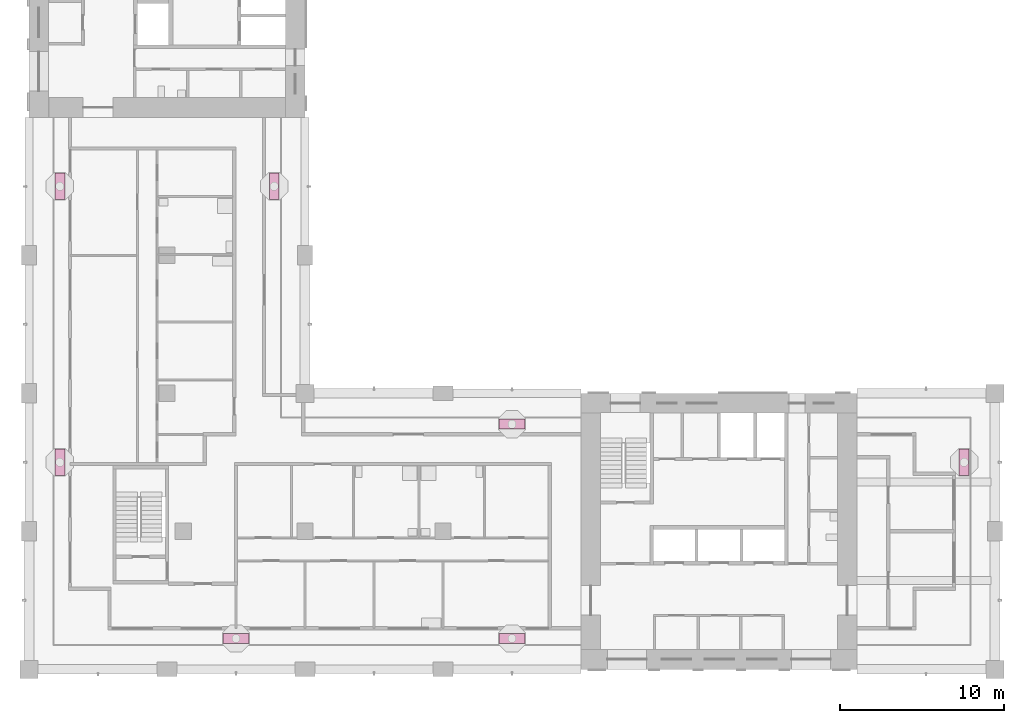
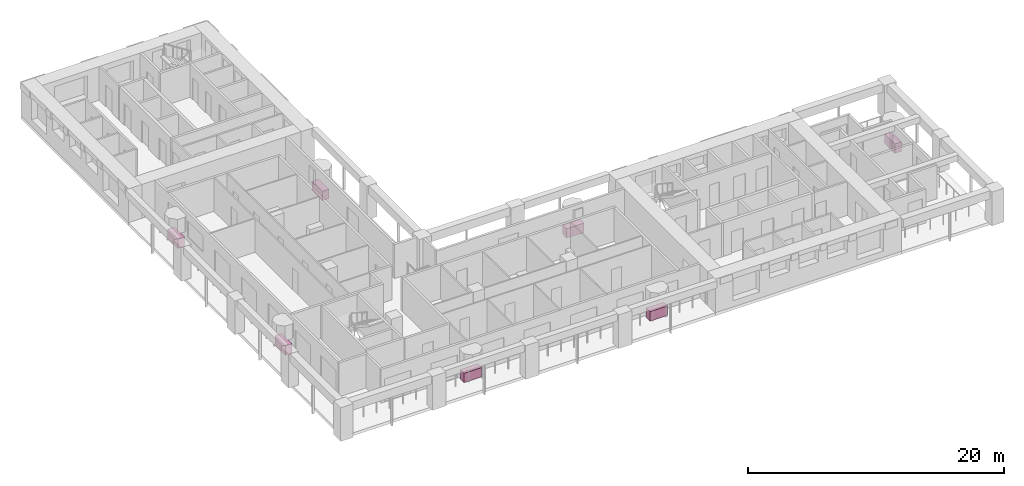
# One storey, part 12 of 13: 7 furniture elements.
"""IFC4 building model written with IfcOpenShell, lengths in metres."""

import ifcopenshell
import ifcopenshell.guid

model = None  # the IFC model being written
_history = None  # IfcOwnerHistory: only IFC2X3 demands one
_inside = {}  # id of a spatial element -> (the spatial element, [elements in it])
_under = {}  # id of a project, library or spatial element -> (it, [spatial elements below it])
_declared = {}  # id of a project -> (the project, [libraries it declares])
_typed = {}  # id of a type object -> (the type object, [elements of that type])
_made_of = {}  # id of a material, layer set ... -> (it, [elements and type objects made of it])


def new_model(schema):
    """Start an empty IFC model of exactly this schema.

    Asked for "IFC4X3", IfcOpenShell would pick the latest addendum, in which some entities
    have other attributes; the version numbers below select the first issue.
    IFC2X3 requires an IfcOwnerHistory on every rooted entity: one is made here for all.
    """
    global model, _history
    if schema == "IFC4X3":
        model = ifcopenshell.file(schema_version=(4, 3, 0, 0))
    else:
        model = ifcopenshell.file(schema=schema)
    _inside.clear()
    _under.clear()
    _declared.clear()
    _typed.clear()
    _made_of.clear()
    _history = None
    if model.schema == "IFC2X3":
        org = make("IfcOrganization", Name="unknown")
        user = make(
            "IfcPersonAndOrganization",
            ThePerson=make("IfcPerson", FamilyName="unknown"),
            TheOrganization=org,
        )
        app = make(
            "IfcApplication",
            ApplicationDeveloper=org,
            Version="unknown",
            ApplicationFullName="unknown",
            ApplicationIdentifier="unknown",
        )
        _history = make(
            "IfcOwnerHistory",
            OwningUser=user,
            OwningApplication=app,
            ChangeAction="ADDED",
            CreationDate=0,
        )
    return model


def make(cls, **values):
    """One entity of the class cls with the attributes given. An attribute that is None is left unset."""
    return model.create_entity(
        cls, **{name: value for name, value in values.items() if value is not None}
    )


def rooted(cls, **values):
    """An entity with a GlobalId (a new one), such as an element, a storey or a relation."""
    return make(cls, GlobalId=ifcopenshell.guid.new(), OwnerHistory=_history, **values)


def si_unit(unit_type, name, prefix=None):
    """IfcSIUnit, for example si_unit("LENGTHUNIT", "METRE", prefix="MILLI")."""
    return make("IfcSIUnit", UnitType=unit_type, Prefix=prefix, Name=name)


def assignment(units):
    """IfcUnitAssignment: the units of a project."""
    return None if units is None else make("IfcUnitAssignment", Units=units)


def point(xyz):
    """IfcCartesianPoint."""
    return None if xyz is None else make("IfcCartesianPoint", Coordinates=xyz)


def direction(xyz):
    """IfcDirection."""
    return None if xyz is None else make("IfcDirection", DirectionRatios=xyz)


def frame(location, z_axis=None, x_axis=None):
    """IfcAxis2Placement3D, a coordinate frame: its origin and axes. An axis left out is left unset."""
    return make(
        "IfcAxis2Placement3D",
        Location=point(location),
        Axis=direction(z_axis),
        RefDirection=direction(x_axis),
    )


def frame_2d(location, x_axis=None):
    """IfcAxis2Placement2D, a coordinate frame in the plane: its origin and x axis."""
    return make(
        "IfcAxis2Placement2D", Location=point(location), RefDirection=direction(x_axis)
    )


def origin():
    """The frame at (0, 0, 0) with its axes left unset."""
    return frame((0.0, 0.0, 0.0))


def origin_2d():
    """The frame at (0, 0) in the plane with its x axis left unset."""
    return frame_2d((0.0, 0.0))


def place(relative_to, where):
    """IfcLocalPlacement: puts the frame where relative to a parent placement (None: the world)."""
    return make(
        "IfcLocalPlacement", PlacementRelTo=relative_to, RelativePlacement=where
    )


def context(
    kind, dimensions, precision=None, world=None, true_north=None, identifier=None
):
    """IfcGeometricRepresentationContext, for example the 3D "Model" context."""
    return make(
        "IfcGeometricRepresentationContext",
        ContextIdentifier=identifier,
        ContextType=kind,
        CoordinateSpaceDimension=dimensions,
        Precision=precision,
        WorldCoordinateSystem=world,
        TrueNorth=true_north,
    )


def subcontext(parent, identifier, kind, view, scale=None):
    """IfcGeometricRepresentationSubContext, for example "Body" below "Model"."""
    return make(
        "IfcGeometricRepresentationSubContext",
        ContextIdentifier=identifier,
        ContextType=kind,
        ParentContext=parent,
        TargetScale=scale,
        TargetView=view,
    )


def project(units=None, contexts=None):
    """IfcProject with its units and contexts."""
    return rooted(
        "IfcProject",
        Name="project",
        RepresentationContexts=contexts,
        UnitsInContext=assignment(units),
    )


def spatial(cls, under=None, at=None, **own):
    """A site, building, storey or space (cls), placed at a placement, below another one or the project."""
    s = rooted(cls, ObjectPlacement=at, **own)
    if under is not None:
        _under.setdefault(under.id(), (under, []))[1].append(s)
    return s


def profile(cls, at=None, kind="AREA", **sizes):
    """A parametric profile (cls). Its sizes go by their IFC names, for example OverallWidth=200.0."""
    return make(cls, ProfileType=kind, Position=at, **sizes)


def rectangle(**sizes):
    """IfcRectangleProfileDef."""
    return profile("IfcRectangleProfileDef", **sizes)


def extrude(swept, where, along, depth):
    """IfcExtrudedAreaSolid: the profile swept, set in the frame where, extruded along a direction by depth."""
    return make(
        "IfcExtrudedAreaSolid",
        SweptArea=swept,
        Position=where,
        ExtrudedDirection=direction(along),
        Depth=depth,
    )


def shape(context_of_items, identifier, shape_type, items):
    """IfcShapeRepresentation: the items that make up one representation, for example the "Body"."""
    return make(
        "IfcShapeRepresentation",
        ContextOfItems=context_of_items,
        RepresentationIdentifier=identifier,
        RepresentationType=shape_type,
        Items=items,
    )


def material(Name=None, Category=None):
    """IfcMaterial."""
    return make("IfcMaterial", Name=Name, Category=Category)


def made_of(thing, what):
    """Note that an element or type object is made of a material, layer set ...; save() writes the relation."""
    if what is not None:
        _made_of.setdefault(what.id(), (what, []))[1].append(thing)
    return thing


def element(
    cls,
    number,
    at=None,
    inside=None,
    cuts=None,
    type_object=None,
    material=None,
    context=None,
    identifier="Body",
    shape_type=None,
    held_by="IfcProductDefinitionShape",
    body=None,
    shapes=None,
    **own,
):
    """One element of the class cls, such as IfcWall. Its Tag is "e" and its number.

    at: its placement. inside: the storey or other place that contains it. cuts: it is an
    opening in that element (IfcRelVoidsElement). A single representation is given by context,
    identifier, shape_type and body (its items); several are given by shapes. held_by: the class
    of the entity that holds the representations. save() writes the other relations.
    """
    e = rooted(cls, Tag="e%d" % number, ObjectPlacement=at, **own)
    if body is not None:
        shapes = [shape(context, identifier, shape_type, body)]
    if shapes is not None:
        e.Representation = make(held_by, Representations=shapes)
    if inside is not None:
        _inside.setdefault(inside.id(), (inside, []))[1].append(e)
    if cuts is not None:
        rooted(
            "IfcRelVoidsElement", RelatingBuildingElement=cuts, RelatedOpeningElement=e
        )
    if type_object is not None:
        _typed.setdefault(type_object.id(), (type_object, []))[1].append(e)
    return made_of(e, material)


def aggregate(whole, parts):
    """IfcRelAggregates: a whole, such as a stair, and the parts it consists of."""
    return rooted("IfcRelAggregates", RelatingObject=whole, RelatedObjects=parts)


def save(model, path):
    """Write the relations noted so far, then the file.

    IfcRelAggregates (storeys below a building ...), IfcRelContainedInSpatialStructure (elements
    in a storey), IfcRelDefinesByType, IfcRelAssociatesMaterial and IfcRelDeclares: one each for
    every whole, place, type object, material and project.
    """
    for whole, parts in _under.values():
        aggregate(whole, parts)
    for where, things in _inside.values():
        rooted(
            "IfcRelContainedInSpatialStructure",
            RelatedElements=things,
            RelatingStructure=where,
        )
    for kind, things in _typed.values():
        rooted("IfcRelDefinesByType", RelatedObjects=things, RelatingType=kind)
    for what, things in _made_of.values():
        rooted("IfcRelAssociatesMaterial", RelatedObjects=things, RelatingMaterial=what)
    for by, libraries in _declared.values():
        rooted("IfcRelDeclares", RelatingContext=by, RelatedDefinitions=libraries)
    model.write(path)


model = new_model("IFC4")

# Units and contexts
model_context = context("Model", 3, precision=1e-05, world=origin(), true_north=direction((0.0, 1.0)))
body_context = subcontext(model_context, "Body", "Model", "MODEL_VIEW")
ifc_project = project(units=[si_unit("LENGTHUNIT", "METRE"), si_unit("AREAUNIT", "SQUARE_METRE"), si_unit("VOLUMEUNIT", "CUBIC_METRE"), si_unit("PLANEANGLEUNIT", "RADIAN"), si_unit("MASSUNIT", "GRAM", prefix="KILO")], contexts=[model_context])

# Site, building, storey
site_placement = place(None, origin())
site = spatial("IfcSite", under=ifc_project, at=site_placement, CompositionType="ELEMENT")
building_placement = place(site_placement, origin())
building = spatial("IfcBuilding", under=site, at=building_placement, Name="Vermilion Gate Residences", CompositionType="ELEMENT")
storey_placement = place(building_placement, frame((0.0, 0.0, 189.699951171875)))
storey = spatial("IfcBuildingStorey", under=building, at=storey_placement, Name="L49", CompositionType="ELEMENT", Elevation=189.699951171875)

# Furniture
ifc_material = material(Name="Terracotta planter", Category="masonry")
for number, where, z_axis, x_axis, name in (
    (1, (21.0, 10.27490234375, 0.0), (0.0, 0.0, 1.0), (1.0, 0.0, 0.0), "PLANTER"),
    (2, (37.800048828125, 10.27490234375, 0.0), (0.0, 0.0, 1.0), (1.0, 0.0, 0.0), "PLANTER"),
    (3, (65.324951171875, 21.0, 0.0), (0.0, 0.0, 1.0), (0.0, 1.0, 0.0), "PLANTER"),
    (4, (37.800048828125, 23.324951171875, 0.0), (0.0, 0.0, 1.0), (-1.0, 0.0, 0.0), "PLANTER"),
    (5, (23.324951171875, 37.800048828125, 0.0), (0.0, 0.0, 1.0), (0.0, 1.0, 0.0), "PLANTER"),
    (6, (10.27490234375, 21.0, 0.0), (0.0, 0.0, 1.0), (0.0, -1.0, 0.0), "PLANTER"),
    (7, (10.27490234375, 37.800048828125, 0.0), (0.0, 0.0, 1.0), (0.0, -1.0, 0.0), "PLANTER"),
):
    element("IfcFurniture", number, at=place(storey_placement, frame(where, z_axis=z_axis, x_axis=x_axis)), inside=storey, material=ifc_material, Name=name, ObjectType="PLANTER", PredefinedType="USERDEFINED", context=body_context, shape_type="SweptSolid", body=[
        extrude(rectangle(XDim=1.60009765625, YDim=0.60009765625, at=origin_2d()), origin(), (0.0, 0.0, 1.0), 0.89990234375),
    ])

save(model, "model.ifc")
